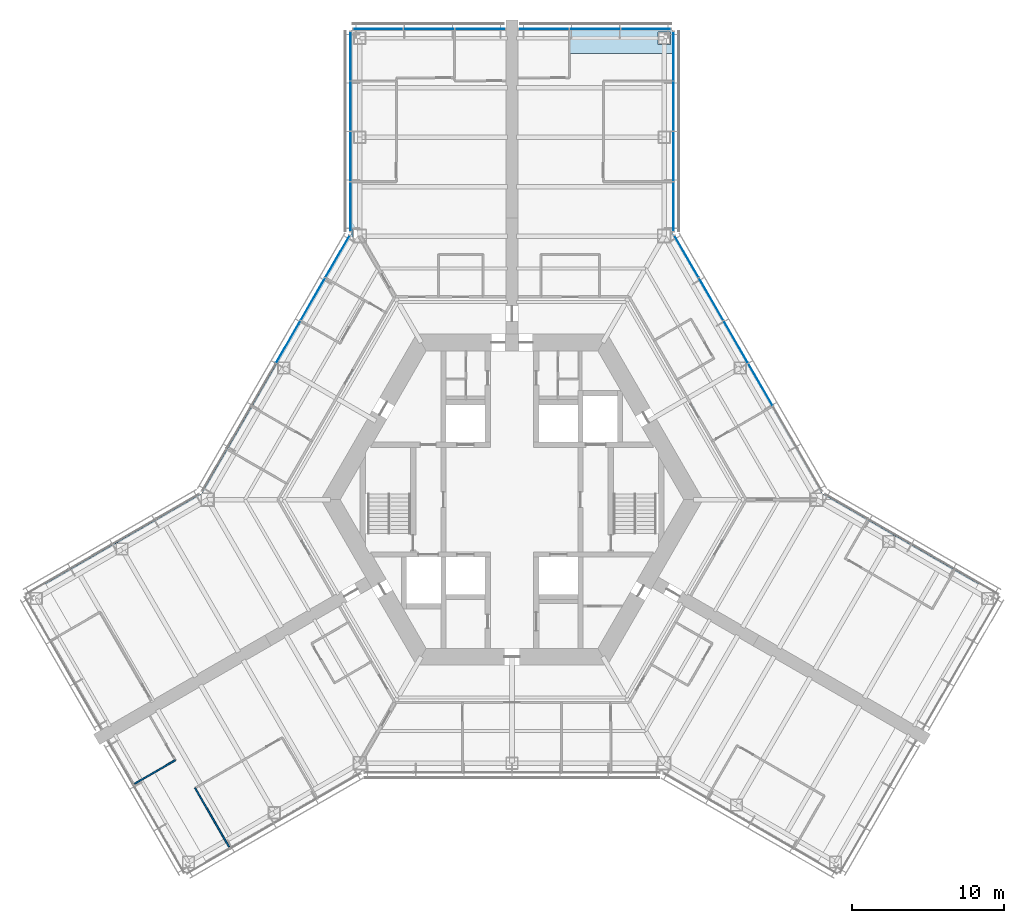
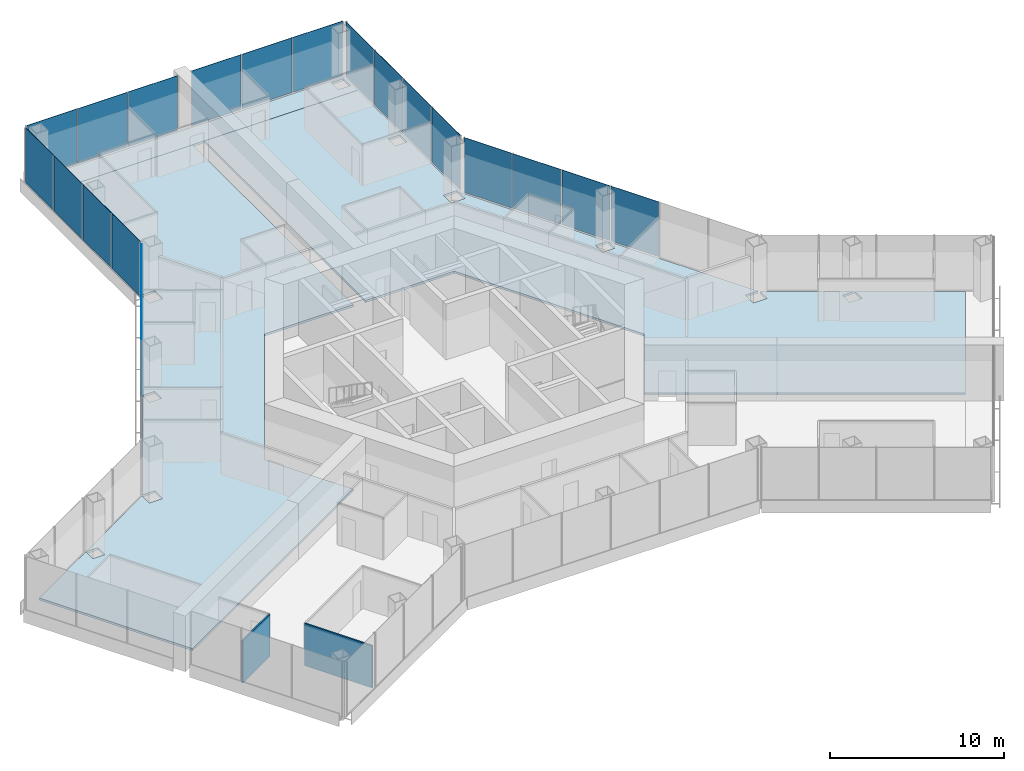
# One storey, part 11 of 19: 21 plates, 3 slabs, 2 walls, 6 elements without a shape of their own.
"""IFC4 building model written with IfcOpenShell, lengths in metres."""

from ifc_helpers import new_model, si_unit, direction, frame, frame_2d, origin, origin_2d, place, context, subcontext, project, spatial, polyline, rectangle, outline, extrude, material, layer, layer_set, type_object, element, aggregate, save


model = new_model("IFC4")

# Units and contexts
model_context = context("Model", 3, precision=1e-05, world=origin(), true_north=direction((0.0, 1.0)))
body_context = subcontext(model_context, "Body", "Model", "MODEL_VIEW")
ifc_project = project(units=[si_unit("LENGTHUNIT", "METRE"), si_unit("AREAUNIT", "SQUARE_METRE"), si_unit("VOLUMEUNIT", "CUBIC_METRE"), si_unit("PLANEANGLEUNIT", "RADIAN"), si_unit("MASSUNIT", "GRAM", prefix="KILO")], contexts=[model_context])

# Site, building, storey
site_placement = place(None, origin())
site = spatial("IfcSite", under=ifc_project, at=site_placement, CompositionType="ELEMENT")
building_placement = place(site_placement, origin())
building = spatial("IfcBuilding", under=site, at=building_placement, Name="Kasaneha Research Tower", CompositionType="ELEMENT")
storey_placement = place(building_placement, frame((0.0, 0.0, 84.60009765625)))
storey = spatial("IfcBuildingStorey", under=building, at=storey_placement, Name="L21", CompositionType="ELEMENT", Elevation=84.60009765625)

# Curtain wall, plates
ifc_material_1 = material(Name="Glass and aluminium", Category="aluminium")
curtain_wall_type = type_object("IfcCurtainWallType", Name="Low-rise office curtain wall", PredefinedType="USERDEFINED", material=ifc_material_1)
curtain_wall_1_placement = place(storey_placement, origin())
curtain_wall_1 = element("IfcCurtainWall", 1, at=curtain_wall_1_placement, inside=storey, type_object=curtain_wall_type, Name="CW-O1 L21 run 07a", ObjectType="UNITISED CURTAIN WALL", PredefinedType="USERDEFINED")
ifc_material_2 = material(Name="Laminated double glazing", Category="glass")
ifc_layer_1 = layer(ifc_material_2, 0.028076171875)
ifc_layer_set_1 = layer_set([ifc_layer_1], Name="CW-O1 glazed panel")
plate_type = type_object("IfcPlateType", Name="CW-O1 glazed panel", PredefinedType="CURTAIN_PANEL", material=ifc_layer_set_1)
plate_1_placement = place(storey_placement, frame((16.331298828125, 7.554443359375, 0.06005859375), z_axis=(0.0, 0.0, 1.0), x_axis=(-0.49999996188, 0.866025425793, 0.0)))
plate_1 = element("IfcPlate", 2, at=plate_1_placement, type_object=plate_type, Name="CW-O1 panel 3", PredefinedType="CURTAIN_PANEL", context=body_context, shape_type="SweptSolid", body=[
    extrude(rectangle(XDim=3.1865234375, YDim=0.028076171875, at=origin_2d()), origin(), (0.0, 0.0, 1.0), 3.840087890625),
])
plate_2_placement = place(storey_placement, frame((14.7080078125, 10.365966796875, 0.06005859375), z_axis=(0.0, 0.0, 1.0), x_axis=(-0.49999996188, 0.866025425793, 0.0)))
plate_2 = element("IfcPlate", 3, at=plate_2_placement, type_object=plate_type, Name="CW-O1 panel 4", PredefinedType="CURTAIN_PANEL", context=body_context, shape_type="SweptSolid", body=[
    extrude(rectangle(XDim=3.1865234375, YDim=0.028076171875, at=origin_2d()), origin(), (0.0, 0.0, 1.0), 3.840087890625),
])
plate_3_placement = place(storey_placement, frame((13.084716796875, 13.177490234375, 0.06005859375), z_axis=(0.0, 0.0, 1.0), x_axis=(-0.49999996188, 0.866025425793, 0.0)))
plate_3 = element("IfcPlate", 4, at=plate_3_placement, type_object=plate_type, Name="CW-O1 panel 5", PredefinedType="CURTAIN_PANEL", context=body_context, shape_type="SweptSolid", body=[
    extrude(rectangle(XDim=3.1865234375, YDim=0.028076171875, at=origin_2d()), origin(), (0.0, 0.0, 1.0), 3.840087890625),
])
plate_4_placement = place(storey_placement, frame((11.468994140625, 15.975830078125, 0.06005859375), z_axis=(0.0, 0.0, 1.0), x_axis=(-0.49999996188, 0.866025425793, 0.0)))
plate_4 = element("IfcPlate", 5, at=plate_4_placement, type_object=plate_type, Name="CW-O1 panel 6", PredefinedType="CURTAIN_PANEL", context=body_context, shape_type="SweptSolid", body=[
    extrude(rectangle(XDim=3.156494140625, YDim=0.028076171875, at=origin_2d()), origin(), (0.0, 0.0, 1.0), 3.840087890625),
])
aggregate(curtain_wall_1, [plate_1, plate_2, plate_3, plate_4])

curtain_wall_2_placement = place(storey_placement, origin())
curtain_wall_2 = element("IfcCurtainWall", 6, at=curtain_wall_2_placement, inside=storey, type_object=curtain_wall_type, Name="CW-O1 L21 run 08a", ObjectType="UNITISED CURTAIN WALL", PredefinedType="USERDEFINED")
plate_5_placement = place(storey_placement, frame((10.60009765625, 19.251220703125, 0.06005859375), z_axis=(0.0, 0.0, 1.0), x_axis=(0.0, 1.0, 0.0)))
plate_5 = element("IfcPlate", 7, at=plate_5_placement, type_object=plate_type, Name="CW-O1 panel 1", PredefinedType="CURTAIN_PANEL", context=body_context, shape_type="SweptSolid", body=[
    extrude(rectangle(XDim=3.2197265625, YDim=0.028076171875, at=origin_2d()), origin(), (0.0, 0.0, 1.0), 3.840087890625),
])
plate_6_placement = place(storey_placement, frame((10.60009765625, 22.5458984375, 0.06005859375), z_axis=(0.0, 0.0, 1.0), x_axis=(0.0, 1.0, 0.0)))
plate_6 = element("IfcPlate", 8, at=plate_6_placement, type_object=plate_type, Name="CW-O1 panel 2", PredefinedType="CURTAIN_PANEL", context=body_context, shape_type="SweptSolid", body=[
    extrude(rectangle(XDim=3.249755859375, YDim=0.028076171875, at=origin_2d()), origin(), (0.0, 0.0, 1.0), 3.840087890625),
])
plate_7_placement = place(storey_placement, frame((10.60009765625, 25.855712890625, 0.06005859375), z_axis=(0.0, 0.0, 1.0), x_axis=(0.0, 1.0, 0.0)))
plate_7 = element("IfcPlate", 9, at=plate_7_placement, type_object=plate_type, Name="CW-O1 panel 3", PredefinedType="CURTAIN_PANEL", context=body_context, shape_type="SweptSolid", body=[
    extrude(rectangle(XDim=3.249755859375, YDim=0.028076171875, at=origin_2d()), origin(), (0.0, 0.0, 1.0), 3.840087890625),
])
plate_8_placement = place(storey_placement, frame((10.60009765625, 29.150634765625, 0.06005859375), z_axis=(0.0, 0.0, 1.0), x_axis=(0.0, 1.0, 0.0)))
plate_8 = element("IfcPlate", 10, at=plate_8_placement, type_object=plate_type, Name="CW-O1 panel 4", PredefinedType="CURTAIN_PANEL", context=body_context, shape_type="SweptSolid", body=[
    extrude(rectangle(XDim=3.2197265625, YDim=0.028076171875, at=origin_2d()), origin(), (0.0, 0.0, 1.0), 3.840087890625),
])
aggregate(curtain_wall_2, [plate_5, plate_6, plate_7, plate_8])

curtain_wall_3_placement = place(storey_placement, origin())
curtain_wall_3 = element("IfcCurtainWall", 11, at=curtain_wall_3_placement, inside=storey, type_object=curtain_wall_type, Name="CW-O1 L21 run 09a", ObjectType="UNITISED CURTAIN WALL", PredefinedType="USERDEFINED")
plate_9_placement = place(storey_placement, frame((8.8017578125, 30.92041015625, 0.06005859375), z_axis=(0.0, 0.0, 1.0), x_axis=(-1.0, 0.0, 0.0)))
plate_9 = element("IfcPlate", 12, at=plate_9_placement, type_object=plate_type, Name="CW-O1 panel 1", PredefinedType="CURTAIN_PANEL", context=body_context, shape_type="SweptSolid", body=[
    extrude(rectangle(XDim=3.276611328125, YDim=0.028076171875, at=origin_2d()), origin(), (0.0, 0.0, 1.0), 3.840087890625),
])
plate_10_placement = place(storey_placement, frame((5.449951171875, 30.92041015625, 0.06005859375), z_axis=(0.0, 0.0, 1.0), x_axis=(-1.0, 0.0, 0.0)))
plate_10 = element("IfcPlate", 13, at=plate_10_placement, type_object=plate_type, Name="CW-O1 panel 2", PredefinedType="CURTAIN_PANEL", context=body_context, shape_type="SweptSolid", body=[
    extrude(rectangle(XDim=3.306640625, YDim=0.028076171875, at=origin_2d()), origin(), (0.0, 0.0, 1.0), 3.840087890625),
])
plate_11_placement = place(storey_placement, frame((2.098388671875, 30.92041015625, 0.06005859375), z_axis=(0.0, 0.0, 1.0), x_axis=(-1.0, 0.0, 0.0)))
plate_11 = element("IfcPlate", 14, at=plate_11_placement, type_object=plate_type, Name="CW-O1 panel 3", PredefinedType="CURTAIN_PANEL", context=body_context, shape_type="SweptSolid", body=[
    extrude(rectangle(XDim=3.276611328125, YDim=0.028076171875, at=origin_2d()), origin(), (0.0, 0.0, 1.0), 3.840087890625),
])
aggregate(curtain_wall_3, [plate_9, plate_10, plate_11])

curtain_wall_4_placement = place(storey_placement, origin())
curtain_wall_4 = element("IfcCurtainWall", 15, at=curtain_wall_4_placement, inside=storey, type_object=curtain_wall_type, Name="CW-O1 L21 run 10a", ObjectType="UNITISED CURTAIN WALL", PredefinedType="USERDEFINED")
plate_12_placement = place(storey_placement, frame((-2.098388671875, 30.92041015625, 0.06005859375), z_axis=(0.0, 0.0, 1.0), x_axis=(-1.0, 0.0, 0.0)))
plate_12 = element("IfcPlate", 16, at=plate_12_placement, type_object=plate_type, Name="CW-O1 panel 1", PredefinedType="CURTAIN_PANEL", context=body_context, shape_type="SweptSolid", body=[
    extrude(rectangle(XDim=3.276611328125, YDim=0.028076171875, at=origin_2d()), origin(), (0.0, 0.0, 1.0), 3.840087890625),
])
plate_13_placement = place(storey_placement, frame((-5.449951171875, 30.92041015625, 0.06005859375), z_axis=(0.0, 0.0, 1.0), x_axis=(-1.0, 0.0, 0.0)))
plate_13 = element("IfcPlate", 17, at=plate_13_placement, type_object=plate_type, Name="CW-O1 panel 2", PredefinedType="CURTAIN_PANEL", context=body_context, shape_type="SweptSolid", body=[
    extrude(rectangle(XDim=3.306640625, YDim=0.028076171875, at=origin_2d()), origin(), (0.0, 0.0, 1.0), 3.840087890625),
])
plate_14_placement = place(storey_placement, frame((-8.8017578125, 30.92041015625, 0.06005859375), z_axis=(0.0, 0.0, 1.0), x_axis=(-1.0, 0.0, 0.0)))
plate_14 = element("IfcPlate", 18, at=plate_14_placement, type_object=plate_type, Name="CW-O1 panel 3", PredefinedType="CURTAIN_PANEL", context=body_context, shape_type="SweptSolid", body=[
    extrude(rectangle(XDim=3.276611328125, YDim=0.028076171875, at=origin_2d()), origin(), (0.0, 0.0, 1.0), 3.840087890625),
])
aggregate(curtain_wall_4, [plate_12, plate_13, plate_14])

curtain_wall_5_placement = place(storey_placement, origin())
curtain_wall_5 = element("IfcCurtainWall", 19, at=curtain_wall_5_placement, inside=storey, type_object=curtain_wall_type, Name="CW-O1 L21 run 11a", ObjectType="UNITISED CURTAIN WALL", PredefinedType="USERDEFINED")
plate_15_placement = place(storey_placement, frame((-10.60009765625, 29.150634765625, 0.06005859375), z_axis=(0.0, 0.0, 1.0), x_axis=(0.0, -1.0, 0.0)))
plate_15 = element("IfcPlate", 20, at=plate_15_placement, type_object=plate_type, Name="CW-O1 panel 1", PredefinedType="CURTAIN_PANEL", context=body_context, shape_type="SweptSolid", body=[
    extrude(rectangle(XDim=3.2197265625, YDim=0.028076171875, at=origin_2d()), origin(), (0.0, 0.0, 1.0), 3.840087890625),
])
plate_16_placement = place(storey_placement, frame((-10.60009765625, 25.855712890625, 0.06005859375), z_axis=(0.0, 0.0, 1.0), x_axis=(0.0, -1.0, 0.0)))
plate_16 = element("IfcPlate", 21, at=plate_16_placement, type_object=plate_type, Name="CW-O1 panel 2", PredefinedType="CURTAIN_PANEL", context=body_context, shape_type="SweptSolid", body=[
    extrude(rectangle(XDim=3.249755859375, YDim=0.028076171875, at=origin_2d()), origin(), (0.0, 0.0, 1.0), 3.840087890625),
])
plate_17_placement = place(storey_placement, frame((-10.60009765625, 22.5458984375, 0.06005859375), z_axis=(0.0, 0.0, 1.0), x_axis=(0.0, -1.0, 0.0)))
plate_17 = element("IfcPlate", 22, at=plate_17_placement, type_object=plate_type, Name="CW-O1 panel 3", PredefinedType="CURTAIN_PANEL", context=body_context, shape_type="SweptSolid", body=[
    extrude(rectangle(XDim=3.249755859375, YDim=0.028076171875, at=origin_2d()), origin(), (0.0, 0.0, 1.0), 3.840087890625),
])
plate_18_placement = place(storey_placement, frame((-10.60009765625, 19.251220703125, 0.06005859375), z_axis=(0.0, 0.0, 1.0), x_axis=(0.0, -1.0, 0.0)))
plate_18 = element("IfcPlate", 23, at=plate_18_placement, type_object=plate_type, Name="CW-O1 panel 4", PredefinedType="CURTAIN_PANEL", context=body_context, shape_type="SweptSolid", body=[
    extrude(rectangle(XDim=3.2197265625, YDim=0.028076171875, at=origin_2d()), origin(), (0.0, 0.0, 1.0), 3.840087890625),
])
aggregate(curtain_wall_5, [plate_15, plate_16, plate_17, plate_18])

curtain_wall_6_placement = place(storey_placement, origin())
curtain_wall_6 = element("IfcCurtainWall", 24, at=curtain_wall_6_placement, inside=storey, type_object=curtain_wall_type, Name="CW-O1 L21 run 12a", ObjectType="UNITISED CURTAIN WALL", PredefinedType="USERDEFINED")
plate_19_placement = place(storey_placement, frame((-11.468994140625, 15.975830078125, 0.06005859375), z_axis=(0.0, 0.0, 1.0), x_axis=(-0.49999996188, -0.866025425793, 0.0)))
plate_19 = element("IfcPlate", 25, at=plate_19_placement, type_object=plate_type, Name="CW-O1 panel 1", PredefinedType="CURTAIN_PANEL", context=body_context, shape_type="SweptSolid", body=[
    extrude(rectangle(XDim=3.156494140625, YDim=0.028076171875, at=origin_2d()), origin(), (0.0, 0.0, 1.0), 3.840087890625),
])
plate_20_placement = place(storey_placement, frame((-13.084716796875, 13.177490234375, 0.06005859375), z_axis=(0.0, 0.0, 1.0), x_axis=(-0.49999996188, -0.866025425793, 0.0)))
plate_20 = element("IfcPlate", 26, at=plate_20_placement, type_object=plate_type, Name="CW-O1 panel 2", PredefinedType="CURTAIN_PANEL", context=body_context, shape_type="SweptSolid", body=[
    extrude(rectangle(XDim=3.1865234375, YDim=0.028076171875, at=origin_2d()), origin(), (0.0, 0.0, 1.0), 3.840087890625),
])
plate_21_placement = place(storey_placement, frame((-14.7080078125, 10.365966796875, 0.06005859375), z_axis=(0.0, 0.0, 1.0), x_axis=(-0.49999996188, -0.866025425793, 0.0)))
plate_21 = element("IfcPlate", 27, at=plate_21_placement, type_object=plate_type, Name="CW-O1 panel 3", PredefinedType="CURTAIN_PANEL", context=body_context, shape_type="SweptSolid", body=[
    extrude(rectangle(XDim=3.1865234375, YDim=0.028076171875, at=origin_2d()), origin(), (0.0, 0.0, 1.0), 3.840087890625),
])
aggregate(curtain_wall_6, [plate_19, plate_20, plate_21])

# Slabs
ifc_material_3 = material(Name="Concrete Fc24", Category="concrete")
ifc_layer_2 = layer(ifc_material_3, 0.14990234375)
ifc_layer_set_2 = layer_set([ifc_layer_2], Name="Floor slab 150")
slab_type = type_object("IfcSlabType", Name="Floor slab 150", PredefinedType="FLOOR", material=ifc_layer_set_2)
slab_1_placement = place(storey_placement, frame((0.0, 0.0, -0.150146484375)))
element("IfcSlab", 28, at=slab_1_placement, inside=storey, type_object=slab_type, Name="Floor slab L21 2", PredefinedType="FLOOR", context=body_context, shape_type="SweptSolid", body=[
    extrude(outline(polyline([(-20.375244140625, 0.449951171875), (-15.40771484375, 9.053955078125), (-15.400146484375, 9.046142578125), (-15.400146484375, 8.26025390625), (-14.599853515625, 8.26025390625), (-14.599853515625, 9.060302734375), (-15.385986328125, 9.060302734375), (-15.3974609375, 9.07177734375), (-10.550048828125, 17.4677734375), (-10.550048828125, 29.310546875), (-0.39990234375, 29.310546875), (-0.39990234375, 10.875), (-6.278564453125, 10.875), (-12.557373046875, 0.0), (-9.617919921875, -5.091064453125), (-25.583740234375, -14.308837890625), (-30.65869140625, -5.518798828125), (-26.040771484375, -2.8525390625), (-26.029296875, -2.864013671875), (-26.029296875, -3.650146484375), (-25.22900390625, -3.650146484375), (-25.22900390625, -2.849853515625), (-26.01513671875, -2.849853515625), (-26.02294921875, -2.84228515625), (-20.449951171875, 0.375244140625), (-20.449951171875, -0.449951171875), (-19.550048828125, -0.449951171875), (-19.550048828125, 0.449951171875), (-20.375244140625, 0.449951171875)]), holes=[polyline([(-9.550048828125, 17.7705078125), (-10.449951171875, 17.7705078125), (-10.449951171875, 16.87060546875), (-9.550048828125, 16.87060546875), (-9.550048828125, 17.7705078125)]), polyline([(-9.60009765625, 23.42041015625), (-9.60009765625, 24.220458984375), (-10.39990234375, 24.220458984375), (-10.39990234375, 23.42041015625), (-9.60009765625, 23.42041015625)])]), origin(), (0.0, 0.0, 1.0), 0.150146484375),
])
slab_2_placement = place(storey_placement, frame((0.0, 0.0, -0.150146484375)))
element("IfcSlab", 29, at=slab_2_placement, inside=storey, type_object=slab_type, Name="Floor slab L21 3", PredefinedType="FLOOR", context=body_context, shape_type="SweptSolid", body=[
    extrude(outline(polyline([(10.550048828125, 29.310546875), (0.39990234375, 29.310546875), (0.39990234375, 29.320556640625), (-0.39990234375, 29.320556640625), (-0.39990234375, 29.310546875), (-10.550048828125, 29.310546875), (-10.550048828125, 30.87060546875), (10.550048828125, 30.87060546875), (10.550048828125, 29.310546875)]), holes=[polyline([(-9.60009765625, 30.720458984375), (-10.39990234375, 30.720458984375), (-10.39990234375, 29.92041015625), (-9.60009765625, 29.92041015625), (-9.60009765625, 30.720458984375)]), polyline([(10.39990234375, 29.92041015625), (10.39990234375, 30.720458984375), (9.60009765625, 30.720458984375), (9.60009765625, 29.92041015625), (10.39990234375, 29.92041015625)])]), origin(), (0.0, 0.0, 1.0), 0.150146484375),
])
slab_3_placement = place(storey_placement, frame((0.0, 0.0, -0.150146484375)))
element("IfcSlab", 30, at=slab_3_placement, inside=storey, type_object=slab_type, Name="Floor slab L21 5", PredefinedType="FLOOR", context=body_context, shape_type="SweptSolid", body=[
    extrude(outline(polyline([(9.617919921875, -5.091064453125), (12.557373046875, 0.0), (6.278564453125, 10.875), (0.39990234375, 10.875), (0.39990234375, 29.310546875), (10.550048828125, 29.310546875), (10.550048828125, 17.4677734375), (15.3974609375, 9.07177734375), (15.385986328125, 9.060302734375), (14.599853515625, 9.060302734375), (14.599853515625, 8.26025390625), (15.400146484375, 8.26025390625), (15.400146484375, 9.046142578125), (15.40771484375, 9.053955078125), (20.375244140625, 0.449951171875), (19.550048828125, 0.449951171875), (19.550048828125, -0.449951171875), (20.449951171875, -0.449951171875), (20.449951171875, 0.375244140625), (25.15673828125, -2.34228515625), (25.149169921875, -2.349853515625), (24.363037109375, -2.349853515625), (24.363037109375, -3.150146484375), (25.163330078125, -3.150146484375), (25.163330078125, -2.364013671875), (25.1748046875, -2.3525390625), (30.65869140625, -5.518798828125), (25.583740234375, -14.308837890625), (9.617919921875, -5.091064453125)]), holes=[polyline([(10.449951171875, 16.87060546875), (10.449951171875, 17.7705078125), (9.550048828125, 17.7705078125), (9.550048828125, 16.87060546875), (10.449951171875, 16.87060546875)]), polyline([(10.39990234375, 23.42041015625), (10.39990234375, 24.220458984375), (9.60009765625, 24.220458984375), (9.60009765625, 23.42041015625), (10.39990234375, 23.42041015625)])]), origin(), (0.0, 0.0, 1.0), 0.150146484375),
])

# Walls
ifc_material_4 = material(Name="Gypsum board on steel studs, one layer each side", Category="steel")
ifc_layer_3 = layer(ifc_material_4, 0.10009765625)
ifc_layer_set_3 = layer_set([ifc_layer_3], Name="Office partition 100")
wall_type = type_object("IfcWallType", Name="Office partition 100", PredefinedType="PARTITIONING", material=ifc_layer_set_3)
wall_1_placement = place(storey_placement, frame((-18.5849609375, -22.831298828125, 0.0), z_axis=(0.0, 0.0, 1.0), x_axis=(-0.499989762656, 0.866031314237, 0.0)))
element("IfcWall", 31, at=wall_1_placement, inside=storey, type_object=wall_type, Name="Office partition FBS05 L21", PredefinedType="PARTITIONING", context=body_context, shape_type="SweptSolid", body=[
    extrude(rectangle(XDim=4.47998046875, YDim=0.10009765625, at=frame_2d((2.239990234375, 0.0))), origin(), (0.0, 0.0, 1.0), 2.949951171875),
])
wall_2_placement = place(storey_placement, frame((-22.123291015625, -17.122314453125, 0.0), z_axis=(0.0, 0.0, 1.0), x_axis=(-0.86602952684, -0.49999285859, 0.0)))
element("IfcWall", 32, at=wall_2_placement, inside=storey, type_object=wall_type, Name="Office partition FBS11 L21", PredefinedType="PARTITIONING", context=body_context, shape_type="SweptSolid", body=[
    extrude(rectangle(XDim=3.10009765625, YDim=0.10009765625, at=frame_2d((1.550048828125, 0.0))), origin(), (0.0, 0.0, 1.0), 2.949951171875),
])

save(model, "model.ifc")
